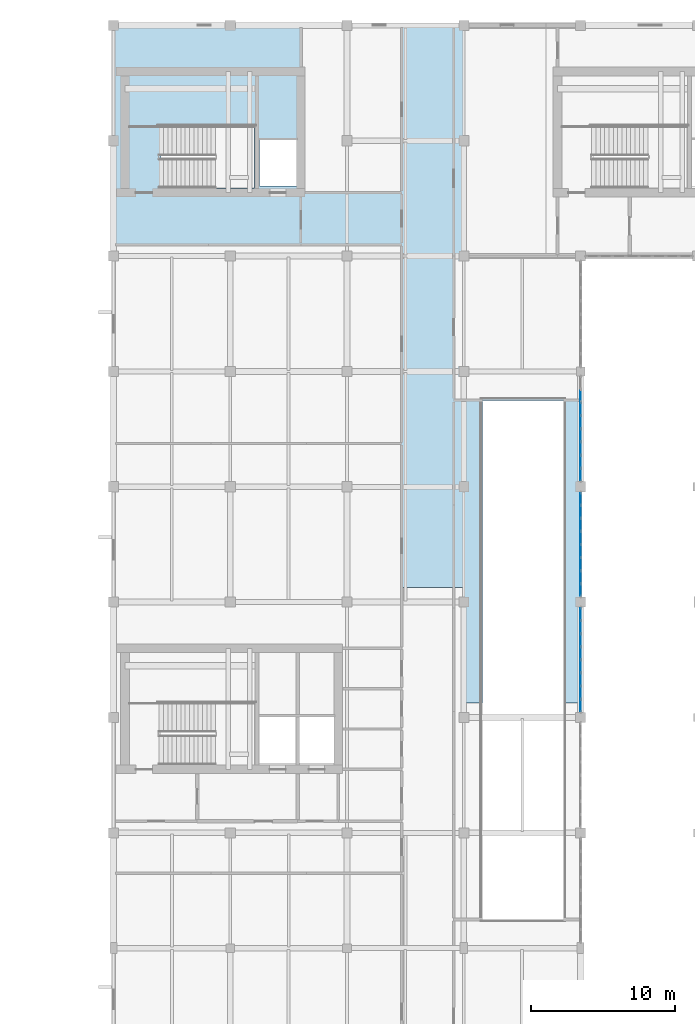
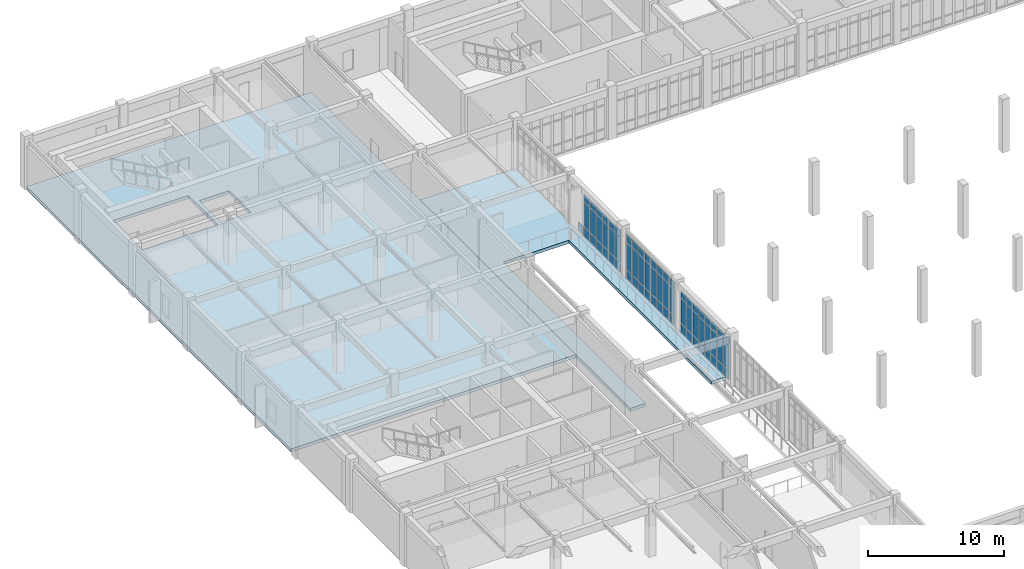
# One storey, part 34 of 61: 67 plates, 2 slabs, 3 elements without a shape of their own.
"""IFC4 building model written with IfcOpenShell, lengths in metres."""

from ifc_helpers import new_model, si_unit, direction, frame, origin, origin_2d, place, context, subcontext, project, spatial, polyline, rectangle, outline, extrude, material, layer, layer_set, type_object, element, aggregate, save


model = new_model("IFC4")

# Units and contexts
model_context = context("Model", 3, precision=1e-05, world=origin(), true_north=direction((0.0, 1.0)))
body_context = subcontext(model_context, "Body", "Model", "MODEL_VIEW")
ifc_project = project(units=[si_unit("LENGTHUNIT", "METRE"), si_unit("AREAUNIT", "SQUARE_METRE"), si_unit("VOLUMEUNIT", "CUBIC_METRE"), si_unit("PLANEANGLEUNIT", "RADIAN"), si_unit("MASSUNIT", "GRAM", prefix="KILO")], contexts=[model_context])

# Site, building, storey
site_placement = place(None, origin())
site = spatial("IfcSite", under=ifc_project, at=site_placement, CompositionType="ELEMENT")
building_placement = place(site_placement, origin())
building = spatial("IfcBuilding", under=site, at=building_placement, Name="Tarnveldt Square Police Headquarters", CompositionType="ELEMENT")
storey_placement = place(building_placement, frame((0.0, 0.0, 5.39990234375)))
storey = spatial("IfcBuildingStorey", under=building, at=storey_placement, Name="L01", CompositionType="ELEMENT", Elevation=5.39990234375)

# Curtain wall, plates
ifc_material_1 = material(Name="Triple-glazed low-e laminated vision glass", Category="glass")
curtain_wall_type_1 = type_object("IfcCurtainWallType", Name="CW-WG-727x391", PredefinedType="USERDEFINED", material=ifc_material_1)
curtain_wall_1_placement = place(storey_placement, origin())
curtain_wall_1 = element("IfcCurtainWall", 1, at=curtain_wall_1_placement, inside=storey, type_object=curtain_wall_type_1, Name="L01 Curtain Wall CW-L01-069", ObjectType="GLAZED CURTAIN WALL", PredefinedType="USERDEFINED")
ifc_layer_1 = layer(ifc_material_1, 0.028076171875)
ifc_layer_set_1 = layer_set([ifc_layer_1], Name="Triple-glazed low-e laminated vision glass")
plate_type = type_object("IfcPlateType", Name="CWP-VIS-28", PredefinedType="CURTAIN_PANEL", material=ifc_layer_set_1)
plate_1_placement = place(storey_placement, frame((48.60009765625, 64.838134765625, 0.074951171875), z_axis=(0.0, 0.0, 1.0), x_axis=(0.0, 1.0, 0.0)))
plate_1 = element("IfcPlate", 2, at=plate_1_placement, type_object=plate_type, Name="CW-WG30 panel 1.1", PredefinedType="CURTAIN_PANEL", context=body_context, shape_type="SweptSolid", body=[
    extrude(rectangle(XDim=0.796142578125, YDim=0.028076171875, at=origin_2d()), origin(), (0.0, 0.0, 1.0), 0.78759765625),
])
plate_2_placement = place(storey_placement, frame((48.60009765625, 64.838134765625, 0.9375), z_axis=(0.0, 0.0, 1.0), x_axis=(0.0, 1.0, 0.0)))
plate_2 = element("IfcPlate", 3, at=plate_2_placement, type_object=plate_type, Name="CW-WG30 panel 1.2", PredefinedType="CURTAIN_PANEL", context=body_context, shape_type="SweptSolid", body=[
    extrude(rectangle(XDim=0.796142578125, YDim=0.028076171875, at=origin_2d()), origin(), (0.0, 0.0, 1.0), 2.18701171875),
])
plate_3_placement = place(storey_placement, frame((48.60009765625, 64.838134765625, 3.19970703125), z_axis=(0.0, 0.0, 1.0), x_axis=(0.0, 1.0, 0.0)))
plate_3 = element("IfcPlate", 4, at=plate_3_placement, type_object=plate_type, Name="CW-WG30 panel 1.3", PredefinedType="CURTAIN_PANEL", context=body_context, shape_type="SweptSolid", body=[
    extrude(rectangle(XDim=0.796142578125, YDim=0.028076171875, at=origin_2d()), origin(), (0.0, 0.0, 1.0), 0.637451171875),
])
plate_4_placement = place(storey_placement, frame((48.60009765625, 65.72802734375, 0.074951171875), z_axis=(0.0, 0.0, 1.0), x_axis=(0.0, 1.0, 0.0)))
plate_4 = element("IfcPlate", 5, at=plate_4_placement, type_object=plate_type, Name="CW-WG30 panel 2.1", PredefinedType="CURTAIN_PANEL", context=body_context, shape_type="SweptSolid", body=[
    extrude(rectangle(XDim=0.833740234375, YDim=0.028076171875, at=origin_2d()), origin(), (0.0, 0.0, 1.0), 0.78759765625),
])
plate_5_placement = place(storey_placement, frame((48.60009765625, 65.72802734375, 0.9375), z_axis=(0.0, 0.0, 1.0), x_axis=(0.0, 1.0, 0.0)))
plate_5 = element("IfcPlate", 6, at=plate_5_placement, type_object=plate_type, Name="CW-WG30 panel 2.2", PredefinedType="CURTAIN_PANEL", context=body_context, shape_type="SweptSolid", body=[
    extrude(rectangle(XDim=0.833740234375, YDim=0.028076171875, at=origin_2d()), origin(), (0.0, 0.0, 1.0), 2.18701171875),
])
plate_6_placement = place(storey_placement, frame((48.60009765625, 65.72802734375, 3.19970703125), z_axis=(0.0, 0.0, 1.0), x_axis=(0.0, 1.0, 0.0)))
plate_6 = element("IfcPlate", 7, at=plate_6_placement, type_object=plate_type, Name="CW-WG30 panel 2.3", PredefinedType="CURTAIN_PANEL", context=body_context, shape_type="SweptSolid", body=[
    extrude(rectangle(XDim=0.833740234375, YDim=0.028076171875, at=origin_2d()), origin(), (0.0, 0.0, 1.0), 0.637451171875),
])
plate_7_placement = place(storey_placement, frame((48.60009765625, 66.636962890625, 0.074951171875), z_axis=(0.0, 0.0, 1.0), x_axis=(0.0, 1.0, 0.0)))
plate_7 = element("IfcPlate", 8, at=plate_7_placement, type_object=plate_type, Name="CW-WG30 panel 3.1", PredefinedType="CURTAIN_PANEL", context=body_context, shape_type="SweptSolid", body=[
    extrude(rectangle(XDim=0.833740234375, YDim=0.028076171875, at=origin_2d()), origin(), (0.0, 0.0, 1.0), 0.78759765625),
])
plate_8_placement = place(storey_placement, frame((48.60009765625, 66.636962890625, 0.9375), z_axis=(0.0, 0.0, 1.0), x_axis=(0.0, 1.0, 0.0)))
plate_8 = element("IfcPlate", 9, at=plate_8_placement, type_object=plate_type, Name="CW-WG30 panel 3.2", PredefinedType="CURTAIN_PANEL", context=body_context, shape_type="SweptSolid", body=[
    extrude(rectangle(XDim=0.833740234375, YDim=0.028076171875, at=origin_2d()), origin(), (0.0, 0.0, 1.0), 2.18701171875),
])
plate_9_placement = place(storey_placement, frame((48.60009765625, 66.636962890625, 3.19970703125), z_axis=(0.0, 0.0, 1.0), x_axis=(0.0, 1.0, 0.0)))
plate_9 = element("IfcPlate", 10, at=plate_9_placement, type_object=plate_type, Name="CW-WG30 panel 3.3", PredefinedType="CURTAIN_PANEL", context=body_context, shape_type="SweptSolid", body=[
    extrude(rectangle(XDim=0.833740234375, YDim=0.028076171875, at=origin_2d()), origin(), (0.0, 0.0, 1.0), 0.637451171875),
])
plate_10_placement = place(storey_placement, frame((48.60009765625, 67.545654296875, 0.074951171875), z_axis=(0.0, 0.0, 1.0), x_axis=(0.0, 1.0, 0.0)))
plate_10 = element("IfcPlate", 11, at=plate_10_placement, type_object=plate_type, Name="CW-WG30 panel 4.1", PredefinedType="CURTAIN_PANEL", context=body_context, shape_type="SweptSolid", body=[
    extrude(rectangle(XDim=0.833740234375, YDim=0.028076171875, at=origin_2d()), origin(), (0.0, 0.0, 1.0), 0.78759765625),
])
plate_11_placement = place(storey_placement, frame((48.60009765625, 67.545654296875, 0.9375), z_axis=(0.0, 0.0, 1.0), x_axis=(0.0, 1.0, 0.0)))
plate_11 = element("IfcPlate", 12, at=plate_11_placement, type_object=plate_type, Name="CW-WG30 panel 4.2", PredefinedType="CURTAIN_PANEL", context=body_context, shape_type="SweptSolid", body=[
    extrude(rectangle(XDim=0.833740234375, YDim=0.028076171875, at=origin_2d()), origin(), (0.0, 0.0, 1.0), 2.18701171875),
])
plate_12_placement = place(storey_placement, frame((48.60009765625, 67.545654296875, 3.19970703125), z_axis=(0.0, 0.0, 1.0), x_axis=(0.0, 1.0, 0.0)))
plate_12 = element("IfcPlate", 13, at=plate_12_placement, type_object=plate_type, Name="CW-WG30 panel 4.3", PredefinedType="CURTAIN_PANEL", context=body_context, shape_type="SweptSolid", body=[
    extrude(rectangle(XDim=0.833740234375, YDim=0.028076171875, at=origin_2d()), origin(), (0.0, 0.0, 1.0), 0.637451171875),
])
plate_13_placement = place(storey_placement, frame((48.60009765625, 68.454345703125, 0.074951171875), z_axis=(0.0, 0.0, 1.0), x_axis=(0.0, 1.0, 0.0)))
plate_13 = element("IfcPlate", 14, at=plate_13_placement, type_object=plate_type, Name="CW-WG30 panel 5.1", PredefinedType="CURTAIN_PANEL", context=body_context, shape_type="SweptSolid", body=[
    extrude(rectangle(XDim=0.833740234375, YDim=0.028076171875, at=origin_2d()), origin(), (0.0, 0.0, 1.0), 0.78759765625),
])
plate_14_placement = place(storey_placement, frame((48.60009765625, 68.454345703125, 0.9375), z_axis=(0.0, 0.0, 1.0), x_axis=(0.0, 1.0, 0.0)))
plate_14 = element("IfcPlate", 15, at=plate_14_placement, type_object=plate_type, Name="CW-WG30 panel 5.2", PredefinedType="CURTAIN_PANEL", context=body_context, shape_type="SweptSolid", body=[
    extrude(rectangle(XDim=0.833740234375, YDim=0.028076171875, at=origin_2d()), origin(), (0.0, 0.0, 1.0), 2.18701171875),
])
plate_15_placement = place(storey_placement, frame((48.60009765625, 68.454345703125, 3.19970703125), z_axis=(0.0, 0.0, 1.0), x_axis=(0.0, 1.0, 0.0)))
plate_15 = element("IfcPlate", 16, at=plate_15_placement, type_object=plate_type, Name="CW-WG30 panel 5.3", PredefinedType="CURTAIN_PANEL", context=body_context, shape_type="SweptSolid", body=[
    extrude(rectangle(XDim=0.833740234375, YDim=0.028076171875, at=origin_2d()), origin(), (0.0, 0.0, 1.0), 0.637451171875),
])
plate_16_placement = place(storey_placement, frame((48.60009765625, 69.363037109375, 0.074951171875), z_axis=(0.0, 0.0, 1.0), x_axis=(0.0, 1.0, 0.0)))
plate_16 = element("IfcPlate", 17, at=plate_16_placement, type_object=plate_type, Name="CW-WG30 panel 6.1", PredefinedType="CURTAIN_PANEL", context=body_context, shape_type="SweptSolid", body=[
    extrude(rectangle(XDim=0.833740234375, YDim=0.028076171875, at=origin_2d()), origin(), (0.0, 0.0, 1.0), 0.78759765625),
])
plate_17_placement = place(storey_placement, frame((48.60009765625, 69.363037109375, 0.9375), z_axis=(0.0, 0.0, 1.0), x_axis=(0.0, 1.0, 0.0)))
plate_17 = element("IfcPlate", 18, at=plate_17_placement, type_object=plate_type, Name="CW-WG30 panel 6.2", PredefinedType="CURTAIN_PANEL", context=body_context, shape_type="SweptSolid", body=[
    extrude(rectangle(XDim=0.833740234375, YDim=0.028076171875, at=origin_2d()), origin(), (0.0, 0.0, 1.0), 2.18701171875),
])
plate_18_placement = place(storey_placement, frame((48.60009765625, 69.363037109375, 3.19970703125), z_axis=(0.0, 0.0, 1.0), x_axis=(0.0, 1.0, 0.0)))
plate_18 = element("IfcPlate", 19, at=plate_18_placement, type_object=plate_type, Name="CW-WG30 panel 6.3", PredefinedType="CURTAIN_PANEL", context=body_context, shape_type="SweptSolid", body=[
    extrude(rectangle(XDim=0.833740234375, YDim=0.028076171875, at=origin_2d()), origin(), (0.0, 0.0, 1.0), 0.637451171875),
])
plate_19_placement = place(storey_placement, frame((48.60009765625, 70.27197265625, 0.074951171875), z_axis=(0.0, 0.0, 1.0), x_axis=(0.0, 1.0, 0.0)))
plate_19 = element("IfcPlate", 20, at=plate_19_placement, type_object=plate_type, Name="CW-WG30 panel 7.1", PredefinedType="CURTAIN_PANEL", context=body_context, shape_type="SweptSolid", body=[
    extrude(rectangle(XDim=0.833740234375, YDim=0.028076171875, at=origin_2d()), origin(), (0.0, 0.0, 1.0), 0.78759765625),
])
plate_20_placement = place(storey_placement, frame((48.60009765625, 70.27197265625, 0.9375), z_axis=(0.0, 0.0, 1.0), x_axis=(0.0, 1.0, 0.0)))
plate_20 = element("IfcPlate", 21, at=plate_20_placement, type_object=plate_type, Name="CW-WG30 panel 7.2", PredefinedType="CURTAIN_PANEL", context=body_context, shape_type="SweptSolid", body=[
    extrude(rectangle(XDim=0.833740234375, YDim=0.028076171875, at=origin_2d()), origin(), (0.0, 0.0, 1.0), 2.18701171875),
])
plate_21_placement = place(storey_placement, frame((48.60009765625, 70.27197265625, 3.19970703125), z_axis=(0.0, 0.0, 1.0), x_axis=(0.0, 1.0, 0.0)))
plate_21 = element("IfcPlate", 22, at=plate_21_placement, type_object=plate_type, Name="CW-WG30 panel 7.3", PredefinedType="CURTAIN_PANEL", context=body_context, shape_type="SweptSolid", body=[
    extrude(rectangle(XDim=0.833740234375, YDim=0.028076171875, at=origin_2d()), origin(), (0.0, 0.0, 1.0), 0.637451171875),
])
plate_22_placement = place(storey_placement, frame((48.60009765625, 71.161865234375, 0.074951171875), z_axis=(0.0, 0.0, 1.0), x_axis=(0.0, 1.0, 0.0)))
plate_22 = element("IfcPlate", 23, at=plate_22_placement, type_object=plate_type, Name="CW-WG30 panel 8.1", PredefinedType="CURTAIN_PANEL", context=body_context, shape_type="SweptSolid", body=[
    extrude(rectangle(XDim=0.796142578125, YDim=0.028076171875, at=origin_2d()), origin(), (0.0, 0.0, 1.0), 0.78759765625),
])
plate_23_placement = place(storey_placement, frame((48.60009765625, 71.161865234375, 0.9375), z_axis=(0.0, 0.0, 1.0), x_axis=(0.0, 1.0, 0.0)))
plate_23 = element("IfcPlate", 24, at=plate_23_placement, type_object=plate_type, Name="CW-WG30 panel 8.2", PredefinedType="CURTAIN_PANEL", context=body_context, shape_type="SweptSolid", body=[
    extrude(rectangle(XDim=0.796142578125, YDim=0.028076171875, at=origin_2d()), origin(), (0.0, 0.0, 1.0), 2.18701171875),
])
plate_24_placement = place(storey_placement, frame((48.60009765625, 71.161865234375, 3.19970703125), z_axis=(0.0, 0.0, 1.0), x_axis=(0.0, 1.0, 0.0)))
plate_24 = element("IfcPlate", 25, at=plate_24_placement, type_object=plate_type, Name="CW-WG30 panel 8.3", PredefinedType="CURTAIN_PANEL", context=body_context, shape_type="SweptSolid", body=[
    extrude(rectangle(XDim=0.796142578125, YDim=0.028076171875, at=origin_2d()), origin(), (0.0, 0.0, 1.0), 0.637451171875),
])
aggregate(curtain_wall_1, [plate_1, plate_2, plate_3, plate_4, plate_5, plate_6, plate_7, plate_8, plate_9, plate_10, plate_11, plate_12, plate_13, plate_14, plate_15, plate_16, plate_17, plate_18, plate_19, plate_20, plate_21, plate_22, plate_23, plate_24])

curtain_wall_type_2 = type_object("IfcCurtainWallType", Name="CW-WG-727x409", PredefinedType="USERDEFINED", material=ifc_material_1)
curtain_wall_2_placement = place(storey_placement, origin())
curtain_wall_2 = element("IfcCurtainWall", 26, at=curtain_wall_2_placement, inside=storey, type_object=curtain_wall_type_2, Name="L01 Curtain Wall CW-L01-070", ObjectType="GLAZED CURTAIN WALL", PredefinedType="USERDEFINED")
plate_25_placement = place(storey_placement, frame((48.60009765625, 72.838134765625, 0.074951171875), z_axis=(0.0, 0.0, 1.0), x_axis=(0.0, 1.0, 0.0)))
plate_25 = element("IfcPlate", 27, at=plate_25_placement, type_object=plate_type, Name="CW-WG29 panel 1.1", PredefinedType="CURTAIN_PANEL", context=body_context, shape_type="SweptSolid", body=[
    extrude(rectangle(XDim=0.796142578125, YDim=0.028076171875, at=origin_2d()), origin(), (0.0, 0.0, 1.0), 0.78759765625),
])
plate_26_placement = place(storey_placement, frame((48.60009765625, 72.838134765625, 0.9375), z_axis=(0.0, 0.0, 1.0), x_axis=(0.0, 1.0, 0.0)))
plate_26 = element("IfcPlate", 28, at=plate_26_placement, type_object=plate_type, Name="CW-WG29 panel 1.2", PredefinedType="CURTAIN_PANEL", context=body_context, shape_type="SweptSolid", body=[
    extrude(rectangle(XDim=0.796142578125, YDim=0.028076171875, at=origin_2d()), origin(), (0.0, 0.0, 1.0), 2.3701171875),
])
plate_27_placement = place(storey_placement, frame((48.60009765625, 72.838134765625, 3.3828125), z_axis=(0.0, 0.0, 1.0), x_axis=(0.0, 1.0, 0.0)))
plate_27 = element("IfcPlate", 29, at=plate_27_placement, type_object=plate_type, Name="CW-WG29 panel 1.3", PredefinedType="CURTAIN_PANEL", context=body_context, shape_type="SweptSolid", body=[
    extrude(rectangle(XDim=0.796142578125, YDim=0.028076171875, at=origin_2d()), origin(), (0.0, 0.0, 1.0), 0.637451171875),
])
plate_28_placement = place(storey_placement, frame((48.60009765625, 73.72802734375, 0.074951171875), z_axis=(0.0, 0.0, 1.0), x_axis=(0.0, 1.0, 0.0)))
plate_28 = element("IfcPlate", 30, at=plate_28_placement, type_object=plate_type, Name="CW-WG29 panel 2.1", PredefinedType="CURTAIN_PANEL", context=body_context, shape_type="SweptSolid", body=[
    extrude(rectangle(XDim=0.833740234375, YDim=0.028076171875, at=origin_2d()), origin(), (0.0, 0.0, 1.0), 0.78759765625),
])
plate_29_placement = place(storey_placement, frame((48.60009765625, 73.72802734375, 0.9375), z_axis=(0.0, 0.0, 1.0), x_axis=(0.0, 1.0, 0.0)))
plate_29 = element("IfcPlate", 31, at=plate_29_placement, type_object=plate_type, Name="CW-WG29 panel 2.2", PredefinedType="CURTAIN_PANEL", context=body_context, shape_type="SweptSolid", body=[
    extrude(rectangle(XDim=0.833740234375, YDim=0.028076171875, at=origin_2d()), origin(), (0.0, 0.0, 1.0), 2.3701171875),
])
plate_30_placement = place(storey_placement, frame((48.60009765625, 73.72802734375, 3.3828125), z_axis=(0.0, 0.0, 1.0), x_axis=(0.0, 1.0, 0.0)))
plate_30 = element("IfcPlate", 32, at=plate_30_placement, type_object=plate_type, Name="CW-WG29 panel 2.3", PredefinedType="CURTAIN_PANEL", context=body_context, shape_type="SweptSolid", body=[
    extrude(rectangle(XDim=0.833740234375, YDim=0.028076171875, at=origin_2d()), origin(), (0.0, 0.0, 1.0), 0.637451171875),
])
plate_31_placement = place(storey_placement, frame((48.60009765625, 74.636962890625, 0.074951171875), z_axis=(0.0, 0.0, 1.0), x_axis=(0.0, 1.0, 0.0)))
plate_31 = element("IfcPlate", 33, at=plate_31_placement, type_object=plate_type, Name="CW-WG29 panel 3.1", PredefinedType="CURTAIN_PANEL", context=body_context, shape_type="SweptSolid", body=[
    extrude(rectangle(XDim=0.833740234375, YDim=0.028076171875, at=origin_2d()), origin(), (0.0, 0.0, 1.0), 0.78759765625),
])
plate_32_placement = place(storey_placement, frame((48.60009765625, 74.636962890625, 0.9375), z_axis=(0.0, 0.0, 1.0), x_axis=(0.0, 1.0, 0.0)))
plate_32 = element("IfcPlate", 34, at=plate_32_placement, type_object=plate_type, Name="CW-WG29 panel 3.2", PredefinedType="CURTAIN_PANEL", context=body_context, shape_type="SweptSolid", body=[
    extrude(rectangle(XDim=0.833740234375, YDim=0.028076171875, at=origin_2d()), origin(), (0.0, 0.0, 1.0), 2.3701171875),
])
plate_33_placement = place(storey_placement, frame((48.60009765625, 74.636962890625, 3.3828125), z_axis=(0.0, 0.0, 1.0), x_axis=(0.0, 1.0, 0.0)))
plate_33 = element("IfcPlate", 35, at=plate_33_placement, type_object=plate_type, Name="CW-WG29 panel 3.3", PredefinedType="CURTAIN_PANEL", context=body_context, shape_type="SweptSolid", body=[
    extrude(rectangle(XDim=0.833740234375, YDim=0.028076171875, at=origin_2d()), origin(), (0.0, 0.0, 1.0), 0.637451171875),
])
plate_34_placement = place(storey_placement, frame((48.60009765625, 75.545654296875, 0.074951171875), z_axis=(0.0, 0.0, 1.0), x_axis=(0.0, 1.0, 0.0)))
plate_34 = element("IfcPlate", 36, at=plate_34_placement, type_object=plate_type, Name="CW-WG29 panel 4.1", PredefinedType="CURTAIN_PANEL", context=body_context, shape_type="SweptSolid", body=[
    extrude(rectangle(XDim=0.833740234375, YDim=0.028076171875, at=origin_2d()), origin(), (0.0, 0.0, 1.0), 0.78759765625),
])
plate_35_placement = place(storey_placement, frame((48.60009765625, 75.545654296875, 0.9375), z_axis=(0.0, 0.0, 1.0), x_axis=(0.0, 1.0, 0.0)))
plate_35 = element("IfcPlate", 37, at=plate_35_placement, type_object=plate_type, Name="CW-WG29 panel 4.2", PredefinedType="CURTAIN_PANEL", context=body_context, shape_type="SweptSolid", body=[
    extrude(rectangle(XDim=0.833740234375, YDim=0.028076171875, at=origin_2d()), origin(), (0.0, 0.0, 1.0), 2.3701171875),
])
plate_36_placement = place(storey_placement, frame((48.60009765625, 75.545654296875, 3.3828125), z_axis=(0.0, 0.0, 1.0), x_axis=(0.0, 1.0, 0.0)))
plate_36 = element("IfcPlate", 38, at=plate_36_placement, type_object=plate_type, Name="CW-WG29 panel 4.3", PredefinedType="CURTAIN_PANEL", context=body_context, shape_type="SweptSolid", body=[
    extrude(rectangle(XDim=0.833740234375, YDim=0.028076171875, at=origin_2d()), origin(), (0.0, 0.0, 1.0), 0.637451171875),
])
plate_37_placement = place(storey_placement, frame((48.60009765625, 76.454345703125, 0.074951171875), z_axis=(0.0, 0.0, 1.0), x_axis=(0.0, 1.0, 0.0)))
plate_37 = element("IfcPlate", 39, at=plate_37_placement, type_object=plate_type, Name="CW-WG29 panel 5.1", PredefinedType="CURTAIN_PANEL", context=body_context, shape_type="SweptSolid", body=[
    extrude(rectangle(XDim=0.833740234375, YDim=0.028076171875, at=origin_2d()), origin(), (0.0, 0.0, 1.0), 0.78759765625),
])
plate_38_placement = place(storey_placement, frame((48.60009765625, 76.454345703125, 0.9375), z_axis=(0.0, 0.0, 1.0), x_axis=(0.0, 1.0, 0.0)))
plate_38 = element("IfcPlate", 40, at=plate_38_placement, type_object=plate_type, Name="CW-WG29 panel 5.2", PredefinedType="CURTAIN_PANEL", context=body_context, shape_type="SweptSolid", body=[
    extrude(rectangle(XDim=0.833740234375, YDim=0.028076171875, at=origin_2d()), origin(), (0.0, 0.0, 1.0), 2.3701171875),
])
plate_39_placement = place(storey_placement, frame((48.60009765625, 76.454345703125, 3.3828125), z_axis=(0.0, 0.0, 1.0), x_axis=(0.0, 1.0, 0.0)))
plate_39 = element("IfcPlate", 41, at=plate_39_placement, type_object=plate_type, Name="CW-WG29 panel 5.3", PredefinedType="CURTAIN_PANEL", context=body_context, shape_type="SweptSolid", body=[
    extrude(rectangle(XDim=0.833740234375, YDim=0.028076171875, at=origin_2d()), origin(), (0.0, 0.0, 1.0), 0.637451171875),
])
plate_40_placement = place(storey_placement, frame((48.60009765625, 77.363037109375, 0.074951171875), z_axis=(0.0, 0.0, 1.0), x_axis=(0.0, 1.0, 0.0)))
plate_40 = element("IfcPlate", 42, at=plate_40_placement, type_object=plate_type, Name="CW-WG29 panel 6.1", PredefinedType="CURTAIN_PANEL", context=body_context, shape_type="SweptSolid", body=[
    extrude(rectangle(XDim=0.833740234375, YDim=0.028076171875, at=origin_2d()), origin(), (0.0, 0.0, 1.0), 0.78759765625),
])
plate_41_placement = place(storey_placement, frame((48.60009765625, 77.363037109375, 0.9375), z_axis=(0.0, 0.0, 1.0), x_axis=(0.0, 1.0, 0.0)))
plate_41 = element("IfcPlate", 43, at=plate_41_placement, type_object=plate_type, Name="CW-WG29 panel 6.2", PredefinedType="CURTAIN_PANEL", context=body_context, shape_type="SweptSolid", body=[
    extrude(rectangle(XDim=0.833740234375, YDim=0.028076171875, at=origin_2d()), origin(), (0.0, 0.0, 1.0), 2.3701171875),
])
plate_42_placement = place(storey_placement, frame((48.60009765625, 77.363037109375, 3.3828125), z_axis=(0.0, 0.0, 1.0), x_axis=(0.0, 1.0, 0.0)))
plate_42 = element("IfcPlate", 44, at=plate_42_placement, type_object=plate_type, Name="CW-WG29 panel 6.3", PredefinedType="CURTAIN_PANEL", context=body_context, shape_type="SweptSolid", body=[
    extrude(rectangle(XDim=0.833740234375, YDim=0.028076171875, at=origin_2d()), origin(), (0.0, 0.0, 1.0), 0.637451171875),
])
plate_43_placement = place(storey_placement, frame((48.60009765625, 78.27197265625, 0.074951171875), z_axis=(0.0, 0.0, 1.0), x_axis=(0.0, 1.0, 0.0)))
plate_43 = element("IfcPlate", 45, at=plate_43_placement, type_object=plate_type, Name="CW-WG29 panel 7.1", PredefinedType="CURTAIN_PANEL", context=body_context, shape_type="SweptSolid", body=[
    extrude(rectangle(XDim=0.833740234375, YDim=0.028076171875, at=origin_2d()), origin(), (0.0, 0.0, 1.0), 0.78759765625),
])
plate_44_placement = place(storey_placement, frame((48.60009765625, 78.27197265625, 0.9375), z_axis=(0.0, 0.0, 1.0), x_axis=(0.0, 1.0, 0.0)))
plate_44 = element("IfcPlate", 46, at=plate_44_placement, type_object=plate_type, Name="CW-WG29 panel 7.2", PredefinedType="CURTAIN_PANEL", context=body_context, shape_type="SweptSolid", body=[
    extrude(rectangle(XDim=0.833740234375, YDim=0.028076171875, at=origin_2d()), origin(), (0.0, 0.0, 1.0), 2.3701171875),
])
plate_45_placement = place(storey_placement, frame((48.60009765625, 78.27197265625, 3.3828125), z_axis=(0.0, 0.0, 1.0), x_axis=(0.0, 1.0, 0.0)))
plate_45 = element("IfcPlate", 47, at=plate_45_placement, type_object=plate_type, Name="CW-WG29 panel 7.3", PredefinedType="CURTAIN_PANEL", context=body_context, shape_type="SweptSolid", body=[
    extrude(rectangle(XDim=0.833740234375, YDim=0.028076171875, at=origin_2d()), origin(), (0.0, 0.0, 1.0), 0.637451171875),
])
plate_46_placement = place(storey_placement, frame((48.60009765625, 79.161865234375, 0.074951171875), z_axis=(0.0, 0.0, 1.0), x_axis=(0.0, 1.0, 0.0)))
plate_46 = element("IfcPlate", 48, at=plate_46_placement, type_object=plate_type, Name="CW-WG29 panel 8.1", PredefinedType="CURTAIN_PANEL", context=body_context, shape_type="SweptSolid", body=[
    extrude(rectangle(XDim=0.796142578125, YDim=0.028076171875, at=origin_2d()), origin(), (0.0, 0.0, 1.0), 0.78759765625),
])
plate_47_placement = place(storey_placement, frame((48.60009765625, 79.161865234375, 0.9375), z_axis=(0.0, 0.0, 1.0), x_axis=(0.0, 1.0, 0.0)))
plate_47 = element("IfcPlate", 49, at=plate_47_placement, type_object=plate_type, Name="CW-WG29 panel 8.2", PredefinedType="CURTAIN_PANEL", context=body_context, shape_type="SweptSolid", body=[
    extrude(rectangle(XDim=0.796142578125, YDim=0.028076171875, at=origin_2d()), origin(), (0.0, 0.0, 1.0), 2.3701171875),
])
plate_48_placement = place(storey_placement, frame((48.60009765625, 79.161865234375, 3.3828125), z_axis=(0.0, 0.0, 1.0), x_axis=(0.0, 1.0, 0.0)))
plate_48 = element("IfcPlate", 50, at=plate_48_placement, type_object=plate_type, Name="CW-WG29 panel 8.3", PredefinedType="CURTAIN_PANEL", context=body_context, shape_type="SweptSolid", body=[
    extrude(rectangle(XDim=0.796142578125, YDim=0.028076171875, at=origin_2d()), origin(), (0.0, 0.0, 1.0), 0.637451171875),
])
aggregate(curtain_wall_2, [plate_25, plate_26, plate_27, plate_28, plate_29, plate_30, plate_31, plate_32, plate_33, plate_34, plate_35, plate_36, plate_37, plate_38, plate_39, plate_40, plate_41, plate_42, plate_43, plate_44, plate_45, plate_46, plate_47, plate_48])

curtain_wall_type_3 = type_object("IfcCurtainWallType", Name="CW-WG-732x391", PredefinedType="USERDEFINED", material=ifc_material_1)
curtain_wall_3_placement = place(storey_placement, origin())
curtain_wall_3 = element("IfcCurtainWall", 51, at=curtain_wall_3_placement, inside=storey, type_object=curtain_wall_type_3, Name="L01 Curtain Wall CW-L01-071", ObjectType="GLAZED CURTAIN WALL", PredefinedType="USERDEFINED")
plate_49_placement = place(storey_placement, frame((48.60009765625, 80.84130859375, 0.074951171875), z_axis=(0.0, 0.0, 1.0), x_axis=(0.0, 1.0, 0.0)))
plate_49 = element("IfcPlate", 52, at=plate_49_placement, type_object=plate_type, Name="CW-WG31 panel 1.1", PredefinedType="CURTAIN_PANEL", context=body_context, shape_type="SweptSolid", body=[
    extrude(rectangle(XDim=0.802490234375, YDim=0.028076171875, at=origin_2d()), origin(), (0.0, 0.0, 1.0), 0.78759765625),
])
plate_50_placement = place(storey_placement, frame((48.60009765625, 80.84130859375, 0.9375), z_axis=(0.0, 0.0, 1.0), x_axis=(0.0, 1.0, 0.0)))
plate_50 = element("IfcPlate", 53, at=plate_50_placement, type_object=plate_type, Name="CW-WG31 panel 1.2", PredefinedType="CURTAIN_PANEL", context=body_context, shape_type="SweptSolid", body=[
    extrude(rectangle(XDim=0.802490234375, YDim=0.028076171875, at=origin_2d()), origin(), (0.0, 0.0, 1.0), 2.18701171875),
])
plate_51_placement = place(storey_placement, frame((48.60009765625, 80.84130859375, 3.19970703125), z_axis=(0.0, 0.0, 1.0), x_axis=(0.0, 1.0, 0.0)))
plate_51 = element("IfcPlate", 54, at=plate_51_placement, type_object=plate_type, Name="CW-WG31 panel 1.3", PredefinedType="CURTAIN_PANEL", context=body_context, shape_type="SweptSolid", body=[
    extrude(rectangle(XDim=0.802490234375, YDim=0.028076171875, at=origin_2d()), origin(), (0.0, 0.0, 1.0), 0.637451171875),
])
plate_52_placement = place(storey_placement, frame((48.60009765625, 81.737548828125, 0.074951171875), z_axis=(0.0, 0.0, 1.0), x_axis=(0.0, 1.0, 0.0)))
plate_52 = element("IfcPlate", 55, at=plate_52_placement, type_object=plate_type, Name="CW-WG31 panel 2.1", PredefinedType="CURTAIN_PANEL", context=body_context, shape_type="SweptSolid", body=[
    extrude(rectangle(XDim=0.840087890625, YDim=0.028076171875, at=origin_2d()), origin(), (0.0, 0.0, 1.0), 0.78759765625),
])
plate_53_placement = place(storey_placement, frame((48.60009765625, 81.737548828125, 0.9375), z_axis=(0.0, 0.0, 1.0), x_axis=(0.0, 1.0, 0.0)))
plate_53 = element("IfcPlate", 56, at=plate_53_placement, type_object=plate_type, Name="CW-WG31 panel 2.2", PredefinedType="CURTAIN_PANEL", context=body_context, shape_type="SweptSolid", body=[
    extrude(rectangle(XDim=0.840087890625, YDim=0.028076171875, at=origin_2d()), origin(), (0.0, 0.0, 1.0), 2.18701171875),
])
plate_54_placement = place(storey_placement, frame((48.60009765625, 81.737548828125, 3.19970703125), z_axis=(0.0, 0.0, 1.0), x_axis=(0.0, 1.0, 0.0)))
plate_54 = element("IfcPlate", 57, at=plate_54_placement, type_object=plate_type, Name="CW-WG31 panel 2.3", PredefinedType="CURTAIN_PANEL", context=body_context, shape_type="SweptSolid", body=[
    extrude(rectangle(XDim=0.840087890625, YDim=0.028076171875, at=origin_2d()), origin(), (0.0, 0.0, 1.0), 0.637451171875),
])
plate_55_placement = place(storey_placement, frame((48.60009765625, 82.652587890625, 0.074951171875), z_axis=(0.0, 0.0, 1.0), x_axis=(0.0, 1.0, 0.0)))
plate_55 = element("IfcPlate", 58, at=plate_55_placement, type_object=plate_type, Name="CW-WG31 panel 3.1", PredefinedType="CURTAIN_PANEL", context=body_context, shape_type="SweptSolid", body=[
    extrude(rectangle(XDim=0.840087890625, YDim=0.028076171875, at=origin_2d()), origin(), (0.0, 0.0, 1.0), 0.78759765625),
])
plate_56_placement = place(storey_placement, frame((48.60009765625, 82.652587890625, 0.9375), z_axis=(0.0, 0.0, 1.0), x_axis=(0.0, 1.0, 0.0)))
plate_56 = element("IfcPlate", 59, at=plate_56_placement, type_object=plate_type, Name="CW-WG31 panel 3.2", PredefinedType="CURTAIN_PANEL", context=body_context, shape_type="SweptSolid", body=[
    extrude(rectangle(XDim=0.840087890625, YDim=0.028076171875, at=origin_2d()), origin(), (0.0, 0.0, 1.0), 2.18701171875),
])
plate_57_placement = place(storey_placement, frame((48.60009765625, 82.652587890625, 3.19970703125), z_axis=(0.0, 0.0, 1.0), x_axis=(0.0, 1.0, 0.0)))
plate_57 = element("IfcPlate", 60, at=plate_57_placement, type_object=plate_type, Name="CW-WG31 panel 3.3", PredefinedType="CURTAIN_PANEL", context=body_context, shape_type="SweptSolid", body=[
    extrude(rectangle(XDim=0.840087890625, YDim=0.028076171875, at=origin_2d()), origin(), (0.0, 0.0, 1.0), 0.637451171875),
])
plate_58_placement = place(storey_placement, frame((48.60009765625, 83.5673828125, 0.074951171875), z_axis=(0.0, 0.0, 1.0), x_axis=(0.0, 1.0, 0.0)))
plate_58 = element("IfcPlate", 61, at=plate_58_placement, type_object=plate_type, Name="CW-WG31 panel 4.1", PredefinedType="CURTAIN_PANEL", context=body_context, shape_type="SweptSolid", body=[
    extrude(rectangle(XDim=0.840087890625, YDim=0.028076171875, at=origin_2d()), origin(), (0.0, 0.0, 1.0), 0.78759765625),
])
plate_59_placement = place(storey_placement, frame((48.60009765625, 83.5673828125, 0.9375), z_axis=(0.0, 0.0, 1.0), x_axis=(0.0, 1.0, 0.0)))
plate_59 = element("IfcPlate", 62, at=plate_59_placement, type_object=plate_type, Name="CW-WG31 panel 4.2", PredefinedType="CURTAIN_PANEL", context=body_context, shape_type="SweptSolid", body=[
    extrude(rectangle(XDim=0.840087890625, YDim=0.028076171875, at=origin_2d()), origin(), (0.0, 0.0, 1.0), 2.18701171875),
])
plate_60_placement = place(storey_placement, frame((48.60009765625, 83.5673828125, 3.19970703125), z_axis=(0.0, 0.0, 1.0), x_axis=(0.0, 1.0, 0.0)))
plate_60 = element("IfcPlate", 63, at=plate_60_placement, type_object=plate_type, Name="CW-WG31 panel 4.3", PredefinedType="CURTAIN_PANEL", context=body_context, shape_type="SweptSolid", body=[
    extrude(rectangle(XDim=0.840087890625, YDim=0.028076171875, at=origin_2d()), origin(), (0.0, 0.0, 1.0), 0.637451171875),
])
plate_61_placement = place(storey_placement, frame((48.60009765625, 84.482421875, 0.074951171875), z_axis=(0.0, 0.0, 1.0), x_axis=(0.0, 1.0, 0.0)))
plate_61 = element("IfcPlate", 64, at=plate_61_placement, type_object=plate_type, Name="CW-WG31 panel 5.1", PredefinedType="CURTAIN_PANEL", context=body_context, shape_type="SweptSolid", body=[
    extrude(rectangle(XDim=0.840087890625, YDim=0.028076171875, at=origin_2d()), origin(), (0.0, 0.0, 1.0), 0.78759765625),
])
plate_62_placement = place(storey_placement, frame((48.60009765625, 84.482421875, 0.9375), z_axis=(0.0, 0.0, 1.0), x_axis=(0.0, 1.0, 0.0)))
plate_62 = element("IfcPlate", 65, at=plate_62_placement, type_object=plate_type, Name="CW-WG31 panel 5.2", PredefinedType="CURTAIN_PANEL", context=body_context, shape_type="SweptSolid", body=[
    extrude(rectangle(XDim=0.840087890625, YDim=0.028076171875, at=origin_2d()), origin(), (0.0, 0.0, 1.0), 2.18701171875),
])
plate_63_placement = place(storey_placement, frame((48.60009765625, 84.482421875, 3.19970703125), z_axis=(0.0, 0.0, 1.0), x_axis=(0.0, 1.0, 0.0)))
plate_63 = element("IfcPlate", 66, at=plate_63_placement, type_object=plate_type, Name="CW-WG31 panel 5.3", PredefinedType="CURTAIN_PANEL", context=body_context, shape_type="SweptSolid", body=[
    extrude(rectangle(XDim=0.840087890625, YDim=0.028076171875, at=origin_2d()), origin(), (0.0, 0.0, 1.0), 0.637451171875),
])
plate_64_placement = place(storey_placement, frame((48.60009765625, 85.3974609375, 0.074951171875), z_axis=(0.0, 0.0, 1.0), x_axis=(0.0, 1.0, 0.0)))
plate_64 = element("IfcPlate", 67, at=plate_64_placement, type_object=plate_type, Name="CW-WG31 panel 6.1", PredefinedType="CURTAIN_PANEL", context=body_context, shape_type="SweptSolid", body=[
    extrude(rectangle(XDim=0.840087890625, YDim=0.028076171875, at=origin_2d()), origin(), (0.0, 0.0, 1.0), 0.78759765625),
])
plate_65_placement = place(storey_placement, frame((48.60009765625, 85.3974609375, 0.9375), z_axis=(0.0, 0.0, 1.0), x_axis=(0.0, 1.0, 0.0)))
plate_65 = element("IfcPlate", 68, at=plate_65_placement, type_object=plate_type, Name="CW-WG31 panel 6.2", PredefinedType="CURTAIN_PANEL", context=body_context, shape_type="SweptSolid", body=[
    extrude(rectangle(XDim=0.840087890625, YDim=0.028076171875, at=origin_2d()), origin(), (0.0, 0.0, 1.0), 2.18701171875),
])
plate_66_placement = place(storey_placement, frame((48.60009765625, 85.3974609375, 3.19970703125), z_axis=(0.0, 0.0, 1.0), x_axis=(0.0, 1.0, 0.0)))
plate_66 = element("IfcPlate", 69, at=plate_66_placement, type_object=plate_type, Name="CW-WG31 panel 6.3", PredefinedType="CURTAIN_PANEL", context=body_context, shape_type="SweptSolid", body=[
    extrude(rectangle(XDim=0.840087890625, YDim=0.028076171875, at=origin_2d()), origin(), (0.0, 0.0, 1.0), 0.637451171875),
])
plate_67_placement = place(storey_placement, frame((48.60009765625, 86.3125, 0.074951171875), z_axis=(0.0, 0.0, 1.0), x_axis=(0.0, 1.0, 0.0)))
plate_67 = element("IfcPlate", 70, at=plate_67_placement, type_object=plate_type, Name="CW-WG31 panel 7.1", PredefinedType="CURTAIN_PANEL", context=body_context, shape_type="SweptSolid", body=[
    extrude(rectangle(XDim=0.840087890625, YDim=0.028076171875, at=origin_2d()), origin(), (0.0, 0.0, 1.0), 0.78759765625),
])
aggregate(curtain_wall_3, [plate_49, plate_50, plate_51, plate_52, plate_53, plate_54, plate_55, plate_56, plate_57, plate_58, plate_59, plate_60, plate_61, plate_62, plate_63, plate_64, plate_65, plate_66, plate_67])

# Slabs
ifc_material_2 = material(Name="Concrete 40 MPa", Category="concrete")
ifc_layer_2 = layer(ifc_material_2, 0.280029296875)
ifc_layer_set_2 = layer_set([ifc_layer_2], Name="Concrete 40 MPa")
slab_type = type_object("IfcSlabType", Name="SL-POD-280", PredefinedType="FLOOR", material=ifc_layer_set_2)
slab_1_placement = place(storey_placement, frame((0.0, 0.0, -0.27978515625)))
element("IfcSlab", 71, at=slab_1_placement, inside=storey, type_object=slab_type, Name="L01 Structural Floor Slab L01-V5-2", PredefinedType="FLOOR", context=body_context, shape_type="SweptSolid", body=[
    extrude(outline(polyline([(40.5, 73.0), (16.199951171875, 73.0), (16.199951171875, 112.0), (40.5, 112.0), (40.5, 73.0)]), holes=[polyline([(26.330078125, 104.050048828125), (26.330078125, 100.85009765625), (28.8798828125, 100.85009765625), (28.8798828125, 104.050048828125), (26.330078125, 104.050048828125)]), polyline([(19.510009765625, 105.02001953125), (19.510009765625, 100.719970703125), (25.969970703125, 100.719970703125), (25.969970703125, 105.02001953125), (19.510009765625, 105.02001953125)])]), origin(), (0.0, 0.0, 1.0), 0.27978515625),
])
slab_2_placement = place(storey_placement, frame((0.0, 0.0, -0.27978515625)))
element("IfcSlab", 72, at=slab_2_placement, inside=storey, type_object=slab_type, Name="L01 Structural Floor Slab L01-WG-2", PredefinedType="FLOOR", context=body_context, shape_type="SweptSolid", body=[
    extrude(outline(polyline([(40.5, 96.0), (46.199951171875, 96.0), (48.60009765625, 96.0), (48.60009765625, 65.0), (47.39990234375, 65.0), (47.39990234375, 86.0), (41.800048828125, 86.0), (41.800048828125, 65.0), (40.5, 65.0), (40.5, 96.0)])), origin(), (0.0, 0.0, 1.0), 0.27978515625),
])

save(model, "model.ifc")
